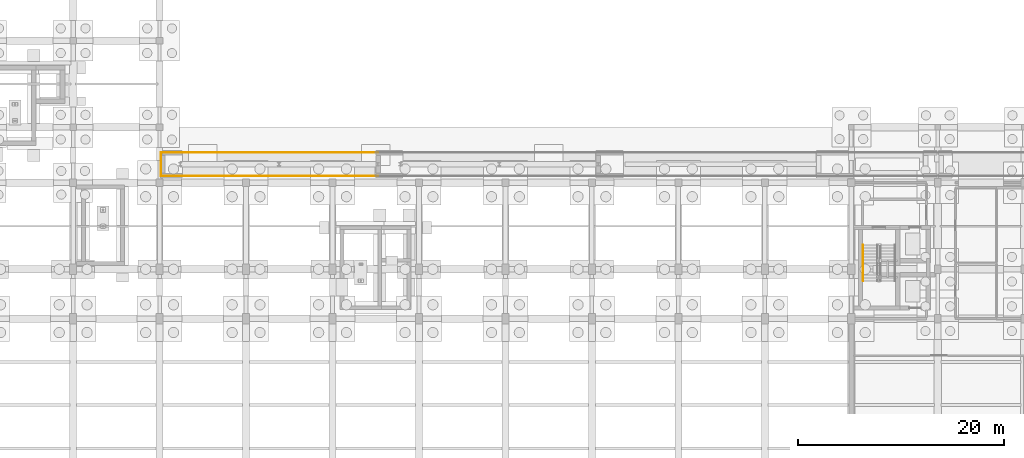
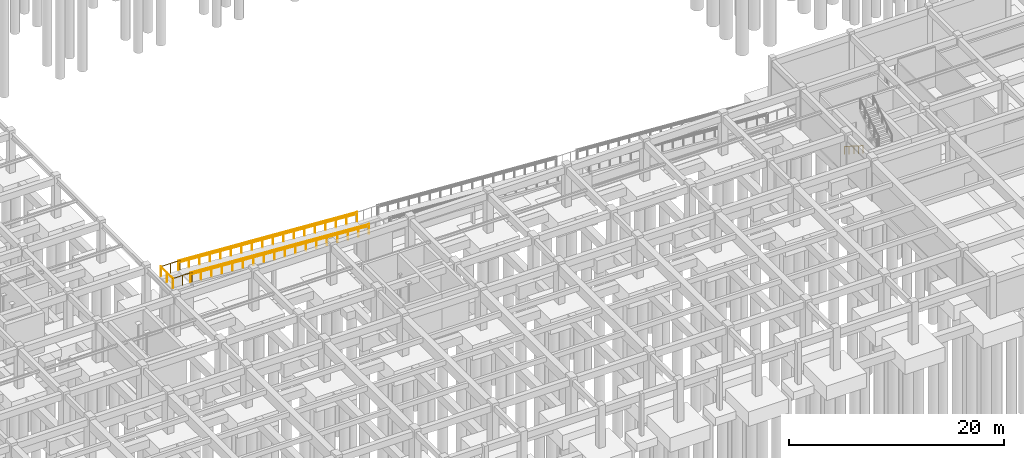
# One storey, part 44 of 49: 8 railings.
"""IFC4 building model written with IfcOpenShell, lengths in metres."""

from ifc_helpers import new_model, si_unit, direction, frame, origin, origin_2d, place, context, subcontext, project, spatial, circle, extrude, material, type_object, element, save


model = new_model("IFC4")

# Units and contexts
model_context = context("Model", 3, precision=1e-05, world=origin(), true_north=direction((0.0, 1.0)))
body_context = subcontext(model_context, "Body", "Model", "MODEL_VIEW")
ifc_project = project(units=[si_unit("LENGTHUNIT", "METRE"), si_unit("AREAUNIT", "SQUARE_METRE"), si_unit("VOLUMEUNIT", "CUBIC_METRE"), si_unit("PLANEANGLEUNIT", "RADIAN"), si_unit("MASSUNIT", "GRAM", prefix="KILO")], contexts=[model_context])

# Site, building, storey
site_placement = place(None, origin())
site = spatial("IfcSite", under=ifc_project, at=site_placement, CompositionType="ELEMENT")
building_placement = place(site_placement, origin())
building = spatial("IfcBuilding", under=site, at=building_placement, Name="Krzemoval Escarpment Law Courts", CompositionType="ELEMENT")
storey_placement = place(building_placement, frame((0.0, 0.0, -4.800048828125)))
storey = spatial("IfcBuildingStorey", under=building, at=storey_placement, Name="B1", CompositionType="ELEMENT", Elevation=-4.800048828125)

# Railings
ifc_material_1 = material(Name="Galvanised Steel S355", Category="steel")
railing_type_1 = type_object("IfcRailingType", Name="RL-GRD-1100", PredefinedType="GUARDRAIL", material=ifc_material_1)
railing_1_placement = place(storey_placement, frame((44.0, 36.080078125, 4.800048828125)))
element("IfcRailing", 1, at=railing_1_placement, inside=storey, type_object=railing_type_1, Name="Ramp Guardrail RG-B1-01", PredefinedType="GUARDRAIL", context=body_context, shape_type="SweptSolid", body=[
    extrude(circle(Radius=0.02392578125, at=origin_2d()), frame((0.0, 0.0, 1.076171875), z_axis=(0.998052726623, 0.0, -0.062375915865), x_axis=(0.0, 1.0, 0.0)), (0.0, 0.0, 1.0), 19.2373046875),
    extrude(circle(Radius=0.02099609375, at=origin_2d()), origin(), (0.0, 0.0, 1.0), 1.052001953125),
    extrude(circle(Radius=0.02099609375, at=origin_2d()), frame((1.12939453125, 0.0, -0.070556640625)), (0.0, 0.0, 1.0), 1.052001953125),
    extrude(circle(Radius=0.02099609375, at=origin_2d()), frame((2.2587890625, 0.0, -0.14111328125)), (0.0, 0.0, 1.0), 1.052001953125),
    extrude(circle(Radius=0.02099609375, at=origin_2d()), frame((3.38818359375, 0.0, -0.211669921875)), (0.0, 0.0, 1.0), 1.052001953125),
    extrude(circle(Radius=0.02099609375, at=origin_2d()), frame((4.517578125, 0.0, -0.2822265625)), (0.0, 0.0, 1.0), 1.052001953125),
    extrude(circle(Radius=0.02099609375, at=origin_2d()), frame((5.64697265625, 0.0, -0.35302734375)), (0.0, 0.0, 1.0), 1.052001953125),
    extrude(circle(Radius=0.02099609375, at=origin_2d()), frame((6.7763671875, 0.0, -0.423583984375)), (0.0, 0.0, 1.0), 1.052001953125),
    extrude(circle(Radius=0.02099609375, at=origin_2d()), frame((7.90576171875, 0.0, -0.494140625)), (0.0, 0.0, 1.0), 1.052001953125),
    extrude(circle(Radius=0.02099609375, at=origin_2d()), frame((9.03515625, 0.0, -0.564697265625)), (0.0, 0.0, 1.0), 1.052001953125),
    extrude(circle(Radius=0.02099609375, at=origin_2d()), frame((10.164794921875, 0.0, -0.63525390625)), (0.0, 0.0, 1.0), 1.052001953125),
    extrude(circle(Radius=0.02099609375, at=origin_2d()), frame((11.294189453125, 0.0, -0.705810546875)), (0.0, 0.0, 1.0), 1.052001953125),
    extrude(circle(Radius=0.02099609375, at=origin_2d()), frame((12.423583984375, 0.0, -0.7763671875)), (0.0, 0.0, 1.0), 1.052001953125),
    extrude(circle(Radius=0.02099609375, at=origin_2d()), frame((13.552978515625, 0.0, -0.846923828125)), (0.0, 0.0, 1.0), 1.052001953125),
    extrude(circle(Radius=0.02099609375, at=origin_2d()), frame((14.682373046875, 0.0, -0.917724609375)), (0.0, 0.0, 1.0), 1.052001953125),
    extrude(circle(Radius=0.02099609375, at=origin_2d()), frame((15.811767578125, 0.0, -0.98828125)), (0.0, 0.0, 1.0), 1.052001953125),
    extrude(circle(Radius=0.02099609375, at=origin_2d()), frame((16.941162109375, 0.0, -1.058837890625)), (0.0, 0.0, 1.0), 1.052001953125),
    extrude(circle(Radius=0.02099609375, at=origin_2d()), frame((18.070556640625, 0.0, -1.12939453125)), (0.0, 0.0, 1.0), 1.052001953125),
    extrude(circle(Radius=0.02099609375, at=origin_2d()), frame((19.199951171875, 0.0, -1.199951171875)), (0.0, 0.0, 1.0), 1.052001953125),
])
railing_2_placement = place(storey_placement, frame((44.0, 38.320068359375, 4.800048828125)))
element("IfcRailing", 2, at=railing_2_placement, inside=storey, type_object=railing_type_1, Name="Ramp Guardrail RG-B1-02", PredefinedType="GUARDRAIL", context=body_context, shape_type="SweptSolid", body=[
    extrude(circle(Radius=0.02392578125, at=origin_2d()), frame((0.0, 0.0, 1.076171875), z_axis=(0.998052726623, 0.0, -0.062375915865), x_axis=(0.0, 1.0, 0.0)), (0.0, 0.0, 1.0), 19.2373046875),
    extrude(circle(Radius=0.02099609375, at=origin_2d()), origin(), (0.0, 0.0, 1.0), 1.052001953125),
    extrude(circle(Radius=0.02099609375, at=origin_2d()), frame((1.12939453125, 0.0, -0.070556640625)), (0.0, 0.0, 1.0), 1.052001953125),
    extrude(circle(Radius=0.02099609375, at=origin_2d()), frame((2.2587890625, 0.0, -0.14111328125)), (0.0, 0.0, 1.0), 1.052001953125),
    extrude(circle(Radius=0.02099609375, at=origin_2d()), frame((3.38818359375, 0.0, -0.211669921875)), (0.0, 0.0, 1.0), 1.052001953125),
    extrude(circle(Radius=0.02099609375, at=origin_2d()), frame((4.517578125, 0.0, -0.2822265625)), (0.0, 0.0, 1.0), 1.052001953125),
    extrude(circle(Radius=0.02099609375, at=origin_2d()), frame((5.64697265625, 0.0, -0.35302734375)), (0.0, 0.0, 1.0), 1.052001953125),
    extrude(circle(Radius=0.02099609375, at=origin_2d()), frame((6.7763671875, 0.0, -0.423583984375)), (0.0, 0.0, 1.0), 1.052001953125),
    extrude(circle(Radius=0.02099609375, at=origin_2d()), frame((7.90576171875, 0.0, -0.494140625)), (0.0, 0.0, 1.0), 1.052001953125),
    extrude(circle(Radius=0.02099609375, at=origin_2d()), frame((9.03515625, 0.0, -0.564697265625)), (0.0, 0.0, 1.0), 1.052001953125),
    extrude(circle(Radius=0.02099609375, at=origin_2d()), frame((10.164794921875, 0.0, -0.63525390625)), (0.0, 0.0, 1.0), 1.052001953125),
    extrude(circle(Radius=0.02099609375, at=origin_2d()), frame((11.294189453125, 0.0, -0.705810546875)), (0.0, 0.0, 1.0), 1.052001953125),
    extrude(circle(Radius=0.02099609375, at=origin_2d()), frame((12.423583984375, 0.0, -0.7763671875)), (0.0, 0.0, 1.0), 1.052001953125),
    extrude(circle(Radius=0.02099609375, at=origin_2d()), frame((13.552978515625, 0.0, -0.846923828125)), (0.0, 0.0, 1.0), 1.052001953125),
    extrude(circle(Radius=0.02099609375, at=origin_2d()), frame((14.682373046875, 0.0, -0.917724609375)), (0.0, 0.0, 1.0), 1.052001953125),
    extrude(circle(Radius=0.02099609375, at=origin_2d()), frame((15.811767578125, 0.0, -0.98828125)), (0.0, 0.0, 1.0), 1.052001953125),
    extrude(circle(Radius=0.02099609375, at=origin_2d()), frame((16.941162109375, 0.0, -1.058837890625)), (0.0, 0.0, 1.0), 1.052001953125),
    extrude(circle(Radius=0.02099609375, at=origin_2d()), frame((18.070556640625, 0.0, -1.12939453125)), (0.0, 0.0, 1.0), 1.052001953125),
    extrude(circle(Radius=0.02099609375, at=origin_2d()), frame((19.199951171875, 0.0, -1.199951171875)), (0.0, 0.0, 1.0), 1.052001953125),
])
for number, where, name in (
    (3, (42.1201171875, 36.080078125, 4.800048828125), "Ramp Landing Guardrail RLG-01S"),
    (4, (42.1201171875, 38.320068359375, 4.800048828125), "Ramp Landing Guardrail RLG-01N"),
):
    element("IfcRailing", number, at=place(storey_placement, frame(where)), inside=storey, type_object=railing_type_1, Name=name, PredefinedType="GUARDRAIL", context=body_context, shape_type="SweptSolid", body=[
        extrude(circle(Radius=0.02392578125, at=origin_2d()), frame((0.0, 0.0, 1.076171875), z_axis=(1.0, 0.0, 0.0), x_axis=(0.0, 1.0, 0.0)), (0.0, 0.0, 1.0), 2.0498046875),
        extrude(circle(Radius=0.02099609375, at=origin_2d()), origin(), (0.0, 0.0, 1.0), 1.052001953125),
        extrude(circle(Radius=0.02099609375, at=origin_2d()), frame((1.02490234375, 0.0, 0.0)), (0.0, 0.0, 1.0), 1.052001953125),
        extrude(circle(Radius=0.02099609375, at=origin_2d()), frame((2.0498046875, 0.0, 0.0)), (0.0, 0.0, 1.0), 1.052001953125),
    ])
railing_3_placement = place(storey_placement, frame((42.1201171875, 36.080078125, 4.800048828125)))
element("IfcRailing", 5, at=railing_3_placement, inside=storey, type_object=railing_type_1, Name="Ramp Landing End Guardrail RLG-01W", PredefinedType="GUARDRAIL", context=body_context, shape_type="SweptSolid", body=[
    extrude(circle(Radius=0.02392578125, at=origin_2d()), frame((0.0, 0.0, 1.076171875), z_axis=(0.0, 1.0, 0.0), x_axis=(-1.0, 0.0, 0.0)), (0.0, 0.0, 1.0), 2.239990234375),
    extrude(circle(Radius=0.02099609375, at=origin_2d()), origin(), (0.0, 0.0, 1.0), 1.052001953125),
    extrude(circle(Radius=0.02099609375, at=origin_2d()), frame((0.0, 1.1201171875, 0.0)), (0.0, 0.0, 1.0), 1.052001953125),
    extrude(circle(Radius=0.02099609375, at=origin_2d()), frame((0.0, 2.239990234375, 0.0)), (0.0, 0.0, 1.0), 1.052001953125),
])
ifc_material_2 = material(Name="Brushed Stainless Steel Grade 304 Handrail", Category="steel")
railing_type_2 = type_object("IfcRailingType", Name="RL-HND-900", PredefinedType="HANDRAIL", material=ifc_material_2)
railing_4_placement = place(storey_placement, frame((110.35009765625, 29.35009765625, 0.1845703125)))
element("IfcRailing", 6, at=railing_4_placement, inside=storey, type_object=railing_type_2, Name="B1 ST6 stair handrail 1", PredefinedType="HANDRAIL", context=body_context, shape_type="SweptSolid", body=[
    extrude(circle(Radius=0.02392578125, at=origin_2d()), frame((0.0, 0.0, 0.8759765625), z_axis=(0.0, -0.843546938479, 0.53705545578), x_axis=(1.0, 0.0, 0.0)), (0.0, 0.0, 1.0), 4.12548828125),
    extrude(circle(Radius=0.02099609375, at=origin_2d()), origin(), (0.0, 0.0, 1.0), 0.851806640625),
    extrude(circle(Radius=0.02099609375, at=origin_2d()), frame((0.0, -0.8701171875, 0.553955078125)), (0.0, 0.0, 1.0), 0.851806640625),
    extrude(circle(Radius=0.02099609375, at=origin_2d()), frame((0.0, -1.739990234375, 1.10791015625)), (0.0, 0.0, 1.0), 0.851806640625),
    extrude(circle(Radius=0.02099609375, at=origin_2d()), frame((0.0, -2.60986328125, 1.66162109375)), (0.0, 0.0, 1.0), 0.851806640625),
    extrude(circle(Radius=0.02099609375, at=origin_2d()), frame((0.0, -3.47998046875, 2.215576171875)), (0.0, 0.0, 1.0), 0.851806640625),
])
railing_5_placement = place(storey_placement, frame((44.0, 36.080078125, 4.800048828125)))
element("IfcRailing", 7, at=railing_5_placement, inside=storey, type_object=railing_type_2, Name="Ramp Handrail RH-B1-01", PredefinedType="HANDRAIL", context=body_context, shape_type="SweptSolid", body=[
    extrude(circle(Radius=0.02392578125, at=origin_2d()), frame((0.0, 0.0, 0.8759765625), z_axis=(0.998052726623, 0.0, -0.062375915865), x_axis=(0.0, 1.0, 0.0)), (0.0, 0.0, 1.0), 19.2373046875),
    extrude(circle(Radius=0.02099609375, at=origin_2d()), origin(), (0.0, 0.0, 1.0), 0.851806640625),
    extrude(circle(Radius=0.02099609375, at=origin_2d()), frame((1.12939453125, 0.0, -0.070556640625)), (0.0, 0.0, 1.0), 0.851806640625),
    extrude(circle(Radius=0.02099609375, at=origin_2d()), frame((2.2587890625, 0.0, -0.14111328125)), (0.0, 0.0, 1.0), 0.851806640625),
    extrude(circle(Radius=0.02099609375, at=origin_2d()), frame((3.38818359375, 0.0, -0.211669921875)), (0.0, 0.0, 1.0), 0.851806640625),
    extrude(circle(Radius=0.02099609375, at=origin_2d()), frame((4.517578125, 0.0, -0.2822265625)), (0.0, 0.0, 1.0), 0.851806640625),
    extrude(circle(Radius=0.02099609375, at=origin_2d()), frame((5.64697265625, 0.0, -0.35302734375)), (0.0, 0.0, 1.0), 0.851806640625),
    extrude(circle(Radius=0.02099609375, at=origin_2d()), frame((6.7763671875, 0.0, -0.423583984375)), (0.0, 0.0, 1.0), 0.851806640625),
    extrude(circle(Radius=0.02099609375, at=origin_2d()), frame((7.90576171875, 0.0, -0.494140625)), (0.0, 0.0, 1.0), 0.851806640625),
    extrude(circle(Radius=0.02099609375, at=origin_2d()), frame((9.03515625, 0.0, -0.564697265625)), (0.0, 0.0, 1.0), 0.851806640625),
    extrude(circle(Radius=0.02099609375, at=origin_2d()), frame((10.164794921875, 0.0, -0.63525390625)), (0.0, 0.0, 1.0), 0.851806640625),
    extrude(circle(Radius=0.02099609375, at=origin_2d()), frame((11.294189453125, 0.0, -0.705810546875)), (0.0, 0.0, 1.0), 0.851806640625),
    extrude(circle(Radius=0.02099609375, at=origin_2d()), frame((12.423583984375, 0.0, -0.7763671875)), (0.0, 0.0, 1.0), 0.851806640625),
    extrude(circle(Radius=0.02099609375, at=origin_2d()), frame((13.552978515625, 0.0, -0.846923828125)), (0.0, 0.0, 1.0), 0.851806640625),
    extrude(circle(Radius=0.02099609375, at=origin_2d()), frame((14.682373046875, 0.0, -0.917724609375)), (0.0, 0.0, 1.0), 0.851806640625),
    extrude(circle(Radius=0.02099609375, at=origin_2d()), frame((15.811767578125, 0.0, -0.98828125)), (0.0, 0.0, 1.0), 0.851806640625),
    extrude(circle(Radius=0.02099609375, at=origin_2d()), frame((16.941162109375, 0.0, -1.058837890625)), (0.0, 0.0, 1.0), 0.851806640625),
    extrude(circle(Radius=0.02099609375, at=origin_2d()), frame((18.070556640625, 0.0, -1.12939453125)), (0.0, 0.0, 1.0), 0.851806640625),
    extrude(circle(Radius=0.02099609375, at=origin_2d()), frame((19.199951171875, 0.0, -1.199951171875)), (0.0, 0.0, 1.0), 0.851806640625),
])
railing_6_placement = place(storey_placement, frame((44.0, 38.320068359375, 4.800048828125)))
element("IfcRailing", 8, at=railing_6_placement, inside=storey, type_object=railing_type_2, Name="Ramp Handrail RH-B1-02", PredefinedType="HANDRAIL", context=body_context, shape_type="SweptSolid", body=[
    extrude(circle(Radius=0.02392578125, at=origin_2d()), frame((0.0, 0.0, 0.8759765625), z_axis=(0.998052726623, 0.0, -0.062375915865), x_axis=(0.0, 1.0, 0.0)), (0.0, 0.0, 1.0), 19.2373046875),
    extrude(circle(Radius=0.02099609375, at=origin_2d()), origin(), (0.0, 0.0, 1.0), 0.851806640625),
    extrude(circle(Radius=0.02099609375, at=origin_2d()), frame((1.12939453125, 0.0, -0.070556640625)), (0.0, 0.0, 1.0), 0.851806640625),
    extrude(circle(Radius=0.02099609375, at=origin_2d()), frame((2.2587890625, 0.0, -0.14111328125)), (0.0, 0.0, 1.0), 0.851806640625),
    extrude(circle(Radius=0.02099609375, at=origin_2d()), frame((3.38818359375, 0.0, -0.211669921875)), (0.0, 0.0, 1.0), 0.851806640625),
    extrude(circle(Radius=0.02099609375, at=origin_2d()), frame((4.517578125, 0.0, -0.2822265625)), (0.0, 0.0, 1.0), 0.851806640625),
    extrude(circle(Radius=0.02099609375, at=origin_2d()), frame((5.64697265625, 0.0, -0.35302734375)), (0.0, 0.0, 1.0), 0.851806640625),
    extrude(circle(Radius=0.02099609375, at=origin_2d()), frame((6.7763671875, 0.0, -0.423583984375)), (0.0, 0.0, 1.0), 0.851806640625),
    extrude(circle(Radius=0.02099609375, at=origin_2d()), frame((7.90576171875, 0.0, -0.494140625)), (0.0, 0.0, 1.0), 0.851806640625),
    extrude(circle(Radius=0.02099609375, at=origin_2d()), frame((9.03515625, 0.0, -0.564697265625)), (0.0, 0.0, 1.0), 0.851806640625),
    extrude(circle(Radius=0.02099609375, at=origin_2d()), frame((10.164794921875, 0.0, -0.63525390625)), (0.0, 0.0, 1.0), 0.851806640625),
    extrude(circle(Radius=0.02099609375, at=origin_2d()), frame((11.294189453125, 0.0, -0.705810546875)), (0.0, 0.0, 1.0), 0.851806640625),
    extrude(circle(Radius=0.02099609375, at=origin_2d()), frame((12.423583984375, 0.0, -0.7763671875)), (0.0, 0.0, 1.0), 0.851806640625),
    extrude(circle(Radius=0.02099609375, at=origin_2d()), frame((13.552978515625, 0.0, -0.846923828125)), (0.0, 0.0, 1.0), 0.851806640625),
    extrude(circle(Radius=0.02099609375, at=origin_2d()), frame((14.682373046875, 0.0, -0.917724609375)), (0.0, 0.0, 1.0), 0.851806640625),
    extrude(circle(Radius=0.02099609375, at=origin_2d()), frame((15.811767578125, 0.0, -0.98828125)), (0.0, 0.0, 1.0), 0.851806640625),
    extrude(circle(Radius=0.02099609375, at=origin_2d()), frame((16.941162109375, 0.0, -1.058837890625)), (0.0, 0.0, 1.0), 0.851806640625),
    extrude(circle(Radius=0.02099609375, at=origin_2d()), frame((18.070556640625, 0.0, -1.12939453125)), (0.0, 0.0, 1.0), 0.851806640625),
    extrude(circle(Radius=0.02099609375, at=origin_2d()), frame((19.199951171875, 0.0, -1.199951171875)), (0.0, 0.0, 1.0), 0.851806640625),
])

save(model, "model.ifc")
